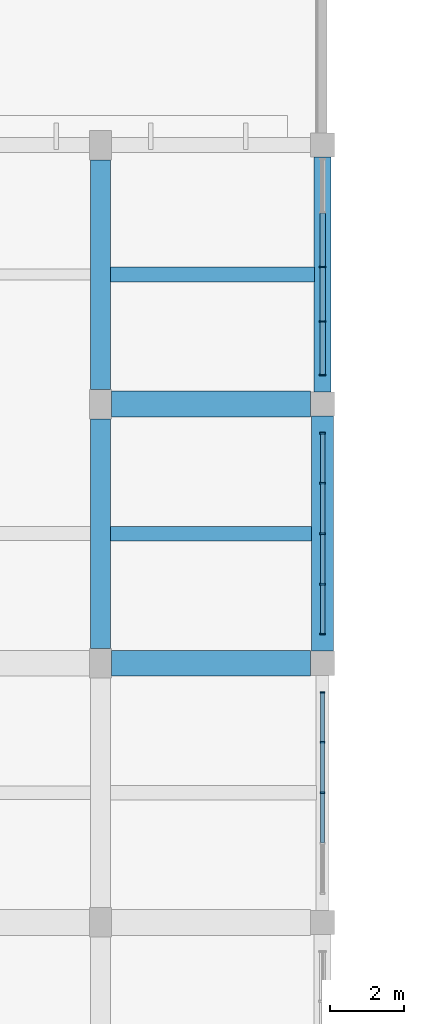
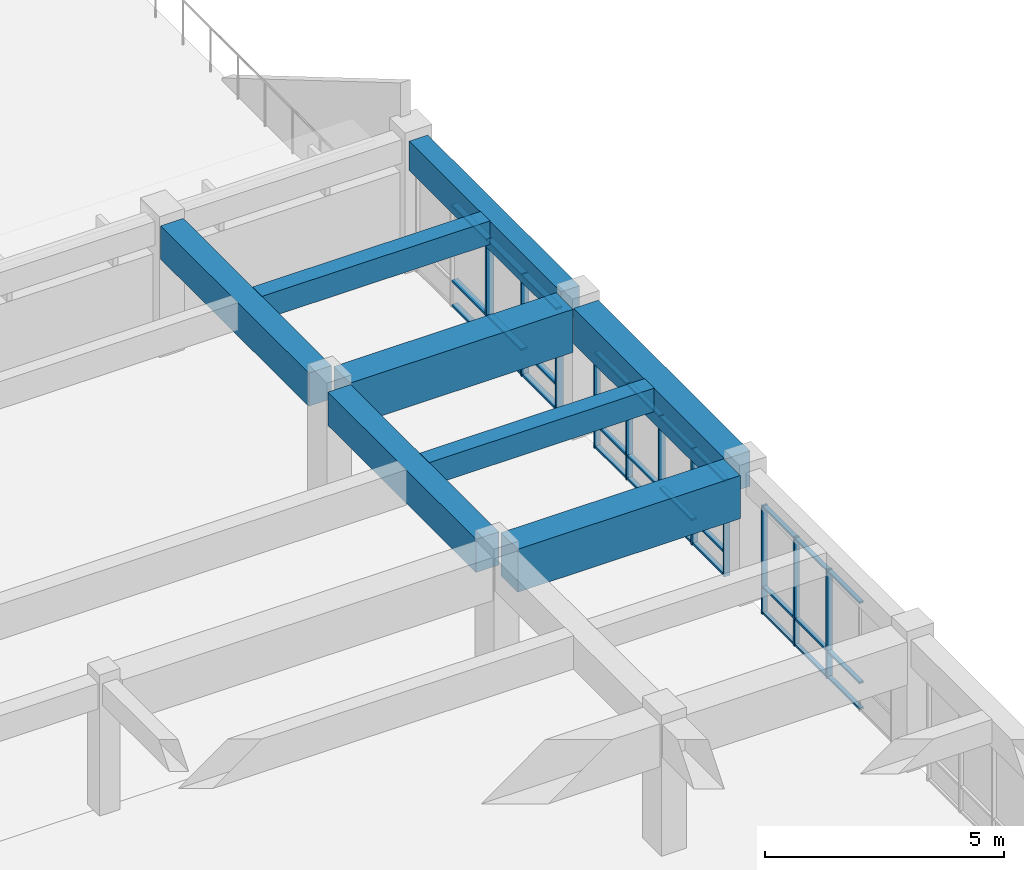
# One storey, part 43 of 77: 41 members, 8 beams, 3 elements without a shape of their own.
"""IFC4 building model written with IfcOpenShell, lengths in metres."""

from ifc_helpers import new_model, si_unit, direction, frame, origin, origin_2d, place, context, subcontext, project, spatial, rectangle, extrude, material, material_profile, profile_set, type_object, element, aggregate, save


model = new_model("IFC4")

# Units and contexts
model_context = context("Model", 3, precision=1e-05, world=origin(), true_north=direction((0.0, 1.0)))
body_context = subcontext(model_context, "Body", "Model", "MODEL_VIEW")
ifc_project = project(units=[si_unit("LENGTHUNIT", "METRE"), si_unit("AREAUNIT", "SQUARE_METRE"), si_unit("VOLUMEUNIT", "CUBIC_METRE"), si_unit("PLANEANGLEUNIT", "RADIAN"), si_unit("MASSUNIT", "GRAM", prefix="KILO")], contexts=[model_context])

# Site, building, storey
site_placement = place(None, origin())
site = spatial("IfcSite", under=ifc_project, at=site_placement, CompositionType="ELEMENT")
building_placement = place(site_placement, origin())
building = spatial("IfcBuilding", under=site, at=building_placement, Name="Larkveld Mobility Hub", CompositionType="ELEMENT")
storey_placement = place(building_placement, frame((0.0, 0.0, 12.0)))
storey = spatial("IfcBuildingStorey", under=building, at=storey_placement, Name="L03", CompositionType="ELEMENT", Elevation=12.0)

# Beams
ifc_material_1 = material(Name="Concrete C40/50", Category="concrete")
ifc_material_profile_1 = material_profile(ifc_material_1, rectangle(XDim=0.39990234375, YDim=0.60009765625, at=origin_2d()), Name="RC BM 400x600")
ifc_profile_set_1 = profile_set([ifc_material_profile_1], Name="Concrete C40/50")
beam_type_1 = type_object("IfcBeamType", Name="BM-RC4060", PredefinedType="BEAM", material=ifc_profile_set_1)
beam_1_placement = place(storey_placement, frame((146.27001953125, 87.5, 3.070068359375), z_axis=(1.0, 0.0, 0.0), x_axis=(0.0, 1.0, 0.0)))
element("IfcBeam", 1, at=beam_1_placement, inside=storey, type_object=beam_type_1, Name="Concourse Spine Joist L03-1126", PredefinedType="BEAM", context=body_context, shape_type="SweptSolid", body=[
    extrude(rectangle(XDim=0.39990234375, YDim=0.60009765625, at=origin_2d()), origin(), (0.0, 0.0, 1.0), 5.43505859375),
])
beam_2_placement = place(storey_placement, frame((146.27001953125, 94.5, 3.070068359375), z_axis=(1.0, 0.0, 0.0), x_axis=(0.0, 1.0, 0.0)))
element("IfcBeam", 2, at=beam_2_placement, inside=storey, type_object=beam_type_1, Name="Concourse Spine Joist L03-1129", PredefinedType="BEAM", context=body_context, shape_type="SweptSolid", body=[
    extrude(rectangle(XDim=0.39990234375, YDim=0.60009765625, at=origin_2d()), origin(), (0.0, 0.0, 1.0), 5.510009765625),
])
ifc_material_profile_2 = material_profile(ifc_material_1, rectangle(XDim=0.449951171875, YDim=0.75, at=origin_2d()), Name="RC BM 450x750")
ifc_profile_set_2 = profile_set([ifc_material_profile_2], Name="Concrete C40/50")
beam_type_2 = type_object("IfcBeamType", Name="BM-RC4575", PredefinedType="BEAM", material=ifc_profile_set_2)
beam_3_placement = place(storey_placement, frame((152.0, 91.324951171875, 2.985107421875), z_axis=(0.0, 1.0, 0.0), x_axis=(-1.0, 0.0, 0.0)))
element("IfcBeam", 3, at=beam_3_placement, inside=storey, type_object=beam_type_2, Name="Primary N-S Girder L03-0846", PredefinedType="BEAM", context=body_context, shape_type="SweptSolid", body=[
    extrude(rectangle(XDim=0.449951171875, YDim=0.75, at=origin_2d()), origin(), (0.0, 0.0, 1.0), 6.35009765625),
])
ifc_material_profile_3 = material_profile(ifc_material_1, rectangle(XDim=0.550048828125, YDim=0.85009765625, at=origin_2d()), Name="RC BM 550x850")
ifc_profile_set_3 = profile_set([ifc_material_profile_3], Name="Concrete C40/50")
beam_type_3 = type_object("IfcBeamType", Name="BM-RC5585", PredefinedType="BEAM", material=ifc_profile_set_3)
for number, where, z_axis, x_axis, name in (
    (4, (146.0, 84.39990234375, 2.93505859375), (0.0, 1.0, 0.0), (-1.0, 0.0, 0.0), "Primary N-S Girder L03-0832"),
    (5, (146.0, 91.39990234375, 2.93505859375), (0.0, 1.0, 0.0), (-1.0, 0.0, 0.0), "Primary N-S Girder L03-0833"),
):
    element("IfcBeam", number, at=place(storey_placement, frame(where, z_axis=z_axis, x_axis=x_axis)), inside=storey, type_object=beam_type_3, Name=name, PredefinedType="BEAM", context=body_context, shape_type="SweptSolid", body=[
        extrude(rectangle(XDim=0.550048828125, YDim=0.85009765625, at=origin_2d()), origin(), (0.0, 0.0, 1.0), 6.2001953125),
    ])
ifc_material_profile_4 = material_profile(ifc_material_1, rectangle(XDim=0.60009765625, YDim=0.89990234375, at=origin_2d()), Name="RC BM 600x900")
ifc_profile_set_4 = profile_set([ifc_material_profile_4], Name="Concrete C40/50")
beam_type_4 = type_object("IfcBeamType", Name="BM-RC6090", PredefinedType="BEAM", material=ifc_profile_set_4)
beam_4_placement = place(storey_placement, frame((152.0, 84.324951171875, 2.909912109375), z_axis=(0.0, 1.0, 0.0), x_axis=(-1.0, 0.0, 0.0)))
element("IfcBeam", 6, at=beam_4_placement, inside=storey, type_object=beam_type_4, Name="Primary N-S Girder L03-0845", PredefinedType="BEAM", context=body_context, shape_type="SweptSolid", body=[
    extrude(rectangle(XDim=0.60009765625, YDim=0.89990234375, at=origin_2d()), origin(), (0.0, 0.0, 1.0), 6.35009765625),
])
ifc_material_profile_5 = material_profile(ifc_material_1, rectangle(XDim=0.699951171875, YDim=1.10009765625, at=origin_2d()), Name="RC BM 700x1100")
ifc_profile_set_5 = profile_set([ifc_material_profile_5], Name="Concrete C40/50")
beam_type_5 = type_object("IfcBeamType", Name="BM-RC70110", PredefinedType="BEAM", material=ifc_profile_set_5)
for number, where, z_axis, x_axis, name in (
    (7, (146.300048828125, 84.0, 2.81005859375), (1.0, 0.0, 0.0), (0.0, 1.0, 0.0), "Primary E-W Girder L03-0739"),
    (8, (146.300048828125, 91.0, 2.81005859375), (1.0, 0.0, 0.0), (0.0, 1.0, 0.0), "Primary E-W Girder L03-0741"),
):
    element("IfcBeam", number, at=place(storey_placement, frame(where, z_axis=z_axis, x_axis=x_axis)), inside=storey, type_object=beam_type_5, Name=name, PredefinedType="BEAM", context=body_context, shape_type="SweptSolid", body=[
        extrude(rectangle(XDim=0.699951171875, YDim=1.10009765625, at=origin_2d()), origin(), (0.0, 0.0, 1.0), 5.375),
    ])

# Curtain wall, members
ifc_material_2 = material(Name="Anodised aluminium 6063-T6", Category="aluminium")
curtain_wall_type_1 = type_object("IfcCurtainWallType", Name="CW-SYS-09", PredefinedType="NOTDEFINED", material=ifc_material_2)
curtain_wall_1_placement = place(storey_placement, origin())
curtain_wall_1 = element("IfcCurtainWall", 9, at=curtain_wall_1_placement, inside=storey, type_object=curtain_wall_type_1, Name="Upper Mobility and Sports East Glazing L03 CW-153", PredefinedType="NOTDEFINED")
ifc_material_profile_6 = material_profile(ifc_material_2, rectangle(XDim=0.050048828125, YDim=0.14990234375, at=origin_2d()), Name="ALU MULL 50x150")
ifc_profile_set_6 = profile_set([ifc_material_profile_6], Name="Anodised aluminium 6063-T6")
member_type_1 = type_object("IfcMemberType", Name="CW-MUL-01", PredefinedType="MULLION", material=ifc_profile_set_6)
member_1_placement = place(storey_placement, frame((152.0, 84.7900390625, -0.001953125), z_axis=(0.0, 0.0, 1.0), x_axis=(0.0, 1.0, 0.0)))
member_1 = element("IfcMember", 10, at=member_1_placement, type_object=member_type_1, Name="CW09 mullion 1", PredefinedType="MULLION", context=body_context, shape_type="SweptSolid", body=[
    extrude(rectangle(XDim=0.050048828125, YDim=0.14990234375, at=origin_2d()), origin(), (0.0, 0.0, 1.0), 2.4619140625),
])
member_2_placement = place(storey_placement, frame((152.0, 86.132080078125, -0.001953125), z_axis=(0.0, 0.0, 1.0), x_axis=(0.0, 1.0, 0.0)))
member_2 = element("IfcMember", 11, at=member_2_placement, type_object=member_type_1, Name="CW09 mullion 2", PredefinedType="MULLION", context=body_context, shape_type="SweptSolid", body=[
    extrude(rectangle(XDim=0.050048828125, YDim=0.14990234375, at=origin_2d()), origin(), (0.0, 0.0, 1.0), 2.4619140625),
])
member_3_placement = place(storey_placement, frame((152.0, 87.5, -0.001953125), z_axis=(0.0, 0.0, 1.0), x_axis=(0.0, 1.0, 0.0)))
member_3 = element("IfcMember", 12, at=member_3_placement, type_object=member_type_1, Name="CW09 mullion 3", PredefinedType="MULLION", context=body_context, shape_type="SweptSolid", body=[
    extrude(rectangle(XDim=0.050048828125, YDim=0.14990234375, at=origin_2d()), origin(), (0.0, 0.0, 1.0), 2.4619140625),
])
member_4_placement = place(storey_placement, frame((152.0, 88.866943359375, -0.001953125), z_axis=(0.0, 0.0, 1.0), x_axis=(0.0, 1.0, 0.0)))
member_4 = element("IfcMember", 13, at=member_4_placement, type_object=member_type_1, Name="CW09 mullion 4", PredefinedType="MULLION", context=body_context, shape_type="SweptSolid", body=[
    extrude(rectangle(XDim=0.050048828125, YDim=0.14990234375, at=origin_2d()), origin(), (0.0, 0.0, 1.0), 2.4619140625),
])
member_5_placement = place(storey_placement, frame((152.0, 90.2099609375, -0.001953125), z_axis=(0.0, 0.0, 1.0), x_axis=(0.0, 1.0, 0.0)))
member_5 = element("IfcMember", 14, at=member_5_placement, type_object=member_type_1, Name="CW09 mullion 5", PredefinedType="MULLION", context=body_context, shape_type="SweptSolid", body=[
    extrude(rectangle(XDim=0.050048828125, YDim=0.14990234375, at=origin_2d()), origin(), (0.0, 0.0, 1.0), 2.4619140625),
])

curtain_wall_type_2 = type_object("IfcCurtainWallType", Name="CW-SYS-10", PredefinedType="NOTDEFINED", material=ifc_material_2)
curtain_wall_2_placement = place(storey_placement, origin())
curtain_wall_2 = element("IfcCurtainWall", 15, at=curtain_wall_2_placement, inside=storey, type_object=curtain_wall_type_2, Name="Upper Mobility and Sports East Glazing L03 CW-154", PredefinedType="NOTDEFINED")
ifc_material_profile_7 = material_profile(ifc_material_2, rectangle(XDim=0.050048828125, YDim=0.179931640625, at=origin_2d()), Name="ALU MULL 50x180")
ifc_profile_set_7 = profile_set([ifc_material_profile_7], Name="Anodised aluminium 6063-T6")
member_type_2 = type_object("IfcMemberType", Name="CW-MUL-02", PredefinedType="MULLION", material=ifc_profile_set_7)
member_6_placement = place(storey_placement, frame((152.0, 91.7900390625, -0.001953125), z_axis=(0.0, 0.0, 1.0), x_axis=(0.0, 1.0, 0.0)))
member_6 = element("IfcMember", 16, at=member_6_placement, type_object=member_type_2, Name="CW10 mullion 1", PredefinedType="MULLION", context=body_context, shape_type="SweptSolid", body=[
    extrude(rectangle(XDim=0.050048828125, YDim=0.179931640625, at=origin_2d()), origin(), (0.0, 0.0, 1.0), 2.612060546875),
])
member_7_placement = place(storey_placement, frame((152.0, 93.236083984375, -0.001953125), z_axis=(0.0, 0.0, 1.0), x_axis=(0.0, 1.0, 0.0)))
member_7 = element("IfcMember", 17, at=member_7_placement, type_object=member_type_2, Name="CW10 mullion 2", PredefinedType="MULLION", context=body_context, shape_type="SweptSolid", body=[
    extrude(rectangle(XDim=0.050048828125, YDim=0.179931640625, at=origin_2d()), origin(), (0.0, 0.0, 1.0), 2.612060546875),
])
member_8_placement = place(storey_placement, frame((152.0, 94.70703125, -0.001953125), z_axis=(0.0, 0.0, 1.0), x_axis=(0.0, 1.0, 0.0)))
member_8 = element("IfcMember", 18, at=member_8_placement, type_object=member_type_2, Name="CW10 mullion 3", PredefinedType="MULLION", context=body_context, shape_type="SweptSolid", body=[
    extrude(rectangle(XDim=0.050048828125, YDim=0.179931640625, at=origin_2d()), origin(), (0.0, 0.0, 1.0), 2.612060546875),
])

curtain_wall_type_3 = type_object("IfcCurtainWallType", Name="CW-SYS-08", PredefinedType="NOTDEFINED", material=ifc_material_2)
curtain_wall_3_placement = place(storey_placement, origin())
curtain_wall_3 = element("IfcCurtainWall", 19, at=curtain_wall_3_placement, inside=storey, type_object=curtain_wall_type_3, Name="Upper Mobility and Sports East Glazing L03 CW-152", PredefinedType="NOTDEFINED")
ifc_material_profile_8 = material_profile(ifc_material_2, rectangle(XDim=0.050048828125, YDim=0.1298828125, at=origin_2d()), Name="ALU MULL 50x130")
ifc_profile_set_8 = profile_set([ifc_material_profile_8], Name="Anodised aluminium 6063-T6")
member_type_3 = type_object("IfcMemberType", Name="CW-MUL-04", PredefinedType="MULLION", material=ifc_profile_set_8)
member_9_placement = place(storey_placement, frame((152.0, 80.5, -0.001953125), z_axis=(0.0, 0.0, 1.0), x_axis=(0.0, 1.0, 0.0)))
member_9 = element("IfcMember", 20, at=member_9_placement, type_object=member_type_3, Name="CW08 mullion 3", PredefinedType="MULLION", context=body_context, shape_type="SweptSolid", body=[
    extrude(rectangle(XDim=0.050048828125, YDim=0.1298828125, at=origin_2d()), origin(), (0.0, 0.0, 1.0), 2.77197265625),
])
member_10_placement = place(storey_placement, frame((152.0, 81.866943359375, -0.001953125), z_axis=(0.0, 0.0, 1.0), x_axis=(0.0, 1.0, 0.0)))
member_10 = element("IfcMember", 21, at=member_10_placement, type_object=member_type_3, Name="CW08 mullion 4", PredefinedType="MULLION", context=body_context, shape_type="SweptSolid", body=[
    extrude(rectangle(XDim=0.050048828125, YDim=0.1298828125, at=origin_2d()), origin(), (0.0, 0.0, 1.0), 2.77197265625),
])
member_11_placement = place(storey_placement, frame((152.0, 83.2099609375, -0.001953125), z_axis=(0.0, 0.0, 1.0), x_axis=(0.0, 1.0, 0.0)))
member_11 = element("IfcMember", 22, at=member_11_placement, type_object=member_type_3, Name="CW08 mullion 5", PredefinedType="MULLION", context=body_context, shape_type="SweptSolid", body=[
    extrude(rectangle(XDim=0.050048828125, YDim=0.1298828125, at=origin_2d()), origin(), (0.0, 0.0, 1.0), 2.77197265625),
])

# Member
ifc_material_profile_9 = material_profile(ifc_material_2, rectangle(XDim=0.1201171875, YDim=0.050048828125, at=origin_2d()), Name="ALU TRAN 50x120")
ifc_profile_set_9 = profile_set([ifc_material_profile_9], Name="Anodised aluminium 6063-T6")
member_type_4 = type_object("IfcMemberType", Name="CW-TRN-01", PredefinedType="USERDEFINED", material=ifc_profile_set_9)
member_12_placement = place(storey_placement, frame((152.0, 84.800048828125, 0.030029296875), z_axis=(0.0, 1.0, 0.0), x_axis=(-1.0, 0.0, 0.0)))
member_12 = element("IfcMember", 23, at=member_12_placement, type_object=member_type_4, Name="CW09 transom 1.1", ObjectType="TRANSOM", PredefinedType="USERDEFINED", context=body_context, shape_type="SweptSolid", body=[
    extrude(rectangle(XDim=0.1201171875, YDim=0.050048828125, at=origin_2d()), origin(), (0.0, 0.0, 1.0), 1.31689453125),
])

member_13_placement = place(storey_placement, frame((152.0, 84.800048828125, 0.614013671875), z_axis=(0.0, 1.0, 0.0), x_axis=(-1.0, 0.0, 0.0)))
member_13 = element("IfcMember", 24, at=member_13_placement, type_object=member_type_4, Name="CW09 transom 1.2", ObjectType="TRANSOM", PredefinedType="USERDEFINED", context=body_context, shape_type="SweptSolid", body=[
    extrude(rectangle(XDim=0.1201171875, YDim=0.050048828125, at=origin_2d()), origin(), (0.0, 0.0, 1.0), 1.31689453125),
])

member_14_placement = place(storey_placement, frame((152.0, 84.800048828125, 2.427978515625), z_axis=(0.0, 1.0, 0.0), x_axis=(-1.0, 0.0, 0.0)))
member_14 = element("IfcMember", 25, at=member_14_placement, type_object=member_type_4, Name="CW09 transom 1.3", ObjectType="TRANSOM", PredefinedType="USERDEFINED", context=body_context, shape_type="SweptSolid", body=[
    extrude(rectangle(XDim=0.1201171875, YDim=0.050048828125, at=origin_2d()), origin(), (0.0, 0.0, 1.0), 1.31689453125),
])

member_15_placement = place(storey_placement, frame((152.0, 86.14697265625, 0.030029296875), z_axis=(0.0, 1.0, 0.0), x_axis=(-1.0, 0.0, 0.0)))
member_15 = element("IfcMember", 26, at=member_15_placement, type_object=member_type_4, Name="CW09 transom 2.1", ObjectType="TRANSOM", PredefinedType="USERDEFINED", context=body_context, shape_type="SweptSolid", body=[
    extrude(rectangle(XDim=0.1201171875, YDim=0.050048828125, at=origin_2d()), origin(), (0.0, 0.0, 1.0), 1.338134765625),
])

member_16_placement = place(storey_placement, frame((152.0, 86.14697265625, 0.614013671875), z_axis=(0.0, 1.0, 0.0), x_axis=(-1.0, 0.0, 0.0)))
member_16 = element("IfcMember", 27, at=member_16_placement, type_object=member_type_4, Name="CW09 transom 2.2", ObjectType="TRANSOM", PredefinedType="USERDEFINED", context=body_context, shape_type="SweptSolid", body=[
    extrude(rectangle(XDim=0.1201171875, YDim=0.050048828125, at=origin_2d()), origin(), (0.0, 0.0, 1.0), 1.338134765625),
])

member_17_placement = place(storey_placement, frame((152.0, 86.14697265625, 2.427978515625), z_axis=(0.0, 1.0, 0.0), x_axis=(-1.0, 0.0, 0.0)))
member_17 = element("IfcMember", 28, at=member_17_placement, type_object=member_type_4, Name="CW09 transom 2.3", ObjectType="TRANSOM", PredefinedType="USERDEFINED", context=body_context, shape_type="SweptSolid", body=[
    extrude(rectangle(XDim=0.1201171875, YDim=0.050048828125, at=origin_2d()), origin(), (0.0, 0.0, 1.0), 1.338134765625),
])

member_18_placement = place(storey_placement, frame((152.0, 87.514892578125, 0.030029296875), z_axis=(0.0, 1.0, 0.0), x_axis=(-1.0, 0.0, 0.0)))
member_18 = element("IfcMember", 29, at=member_18_placement, type_object=member_type_4, Name="CW09 transom 3.1", ObjectType="TRANSOM", PredefinedType="USERDEFINED", context=body_context, shape_type="SweptSolid", body=[
    extrude(rectangle(XDim=0.1201171875, YDim=0.050048828125, at=origin_2d()), origin(), (0.0, 0.0, 1.0), 1.337158203125),
])

member_19_placement = place(storey_placement, frame((152.0, 87.514892578125, 0.614013671875), z_axis=(0.0, 1.0, 0.0), x_axis=(-1.0, 0.0, 0.0)))
member_19 = element("IfcMember", 30, at=member_19_placement, type_object=member_type_4, Name="CW09 transom 3.2", ObjectType="TRANSOM", PredefinedType="USERDEFINED", context=body_context, shape_type="SweptSolid", body=[
    extrude(rectangle(XDim=0.1201171875, YDim=0.050048828125, at=origin_2d()), origin(), (0.0, 0.0, 1.0), 1.337158203125),
])

member_20_placement = place(storey_placement, frame((152.0, 87.514892578125, 2.427978515625), z_axis=(0.0, 1.0, 0.0), x_axis=(-1.0, 0.0, 0.0)))
member_20 = element("IfcMember", 31, at=member_20_placement, type_object=member_type_4, Name="CW09 transom 3.3", ObjectType="TRANSOM", PredefinedType="USERDEFINED", context=body_context, shape_type="SweptSolid", body=[
    extrude(rectangle(XDim=0.1201171875, YDim=0.050048828125, at=origin_2d()), origin(), (0.0, 0.0, 1.0), 1.337158203125),
])

member_21_placement = place(storey_placement, frame((152.0, 88.882080078125, 0.030029296875), z_axis=(0.0, 1.0, 0.0), x_axis=(-1.0, 0.0, 0.0)))
member_21 = element("IfcMember", 32, at=member_21_placement, type_object=member_type_4, Name="CW09 transom 4.1", ObjectType="TRANSOM", PredefinedType="USERDEFINED", context=body_context, shape_type="SweptSolid", body=[
    extrude(rectangle(XDim=0.1201171875, YDim=0.050048828125, at=origin_2d()), origin(), (0.0, 0.0, 1.0), 1.31787109375),
])

member_22_placement = place(storey_placement, frame((152.0, 88.882080078125, 0.614013671875), z_axis=(0.0, 1.0, 0.0), x_axis=(-1.0, 0.0, 0.0)))
member_22 = element("IfcMember", 33, at=member_22_placement, type_object=member_type_4, Name="CW09 transom 4.2", ObjectType="TRANSOM", PredefinedType="USERDEFINED", context=body_context, shape_type="SweptSolid", body=[
    extrude(rectangle(XDim=0.1201171875, YDim=0.050048828125, at=origin_2d()), origin(), (0.0, 0.0, 1.0), 1.31787109375),
])

member_23_placement = place(storey_placement, frame((152.0, 88.882080078125, 2.427978515625), z_axis=(0.0, 1.0, 0.0), x_axis=(-1.0, 0.0, 0.0)))
member_23 = element("IfcMember", 34, at=member_23_placement, type_object=member_type_4, Name="CW09 transom 4.3", ObjectType="TRANSOM", PredefinedType="USERDEFINED", context=body_context, shape_type="SweptSolid", body=[
    extrude(rectangle(XDim=0.1201171875, YDim=0.050048828125, at=origin_2d()), origin(), (0.0, 0.0, 1.0), 1.31787109375),
])

aggregate(curtain_wall_1, [member_1, member_2, member_3, member_4, member_5, member_12, member_13, member_14, member_15, member_16, member_17, member_18, member_19, member_20, member_21, member_22, member_23])

ifc_material_profile_10 = material_profile(ifc_material_2, rectangle(XDim=0.14990234375, YDim=0.050048828125, at=origin_2d()), Name="ALU TRAN 50x150")
ifc_profile_set_10 = profile_set([ifc_material_profile_10], Name="Anodised aluminium 6063-T6")
member_type_5 = type_object("IfcMemberType", Name="CW-TRN-02", PredefinedType="USERDEFINED", material=ifc_profile_set_10)
member_24_placement = place(storey_placement, frame((152.0, 91.800048828125, 0.030029296875), z_axis=(0.0, 1.0, 0.0), x_axis=(-1.0, 0.0, 0.0)))
member_24 = element("IfcMember", 35, at=member_24_placement, type_object=member_type_5, Name="CW10 transom 1.1", ObjectType="TRANSOM", PredefinedType="USERDEFINED", context=body_context, shape_type="SweptSolid", body=[
    extrude(rectangle(XDim=0.14990234375, YDim=0.050048828125, at=origin_2d()), origin(), (0.0, 0.0, 1.0), 1.4208984375),
])

member_25_placement = place(storey_placement, frame((152.0, 91.800048828125, 0.652099609375), z_axis=(0.0, 1.0, 0.0), x_axis=(-1.0, 0.0, 0.0)))
member_25 = element("IfcMember", 36, at=member_25_placement, type_object=member_type_5, Name="CW10 transom 1.2", ObjectType="TRANSOM", PredefinedType="USERDEFINED", context=body_context, shape_type="SweptSolid", body=[
    extrude(rectangle(XDim=0.14990234375, YDim=0.050048828125, at=origin_2d()), origin(), (0.0, 0.0, 1.0), 1.4208984375),
])

member_26_placement = place(storey_placement, frame((152.0, 91.800048828125, 2.577880859375), z_axis=(0.0, 1.0, 0.0), x_axis=(-1.0, 0.0, 0.0)))
member_26 = element("IfcMember", 37, at=member_26_placement, type_object=member_type_5, Name="CW10 transom 1.3", ObjectType="TRANSOM", PredefinedType="USERDEFINED", context=body_context, shape_type="SweptSolid", body=[
    extrude(rectangle(XDim=0.14990234375, YDim=0.050048828125, at=origin_2d()), origin(), (0.0, 0.0, 1.0), 1.4208984375),
])

member_27_placement = place(storey_placement, frame((152.0, 93.2509765625, 0.030029296875), z_axis=(0.0, 1.0, 0.0), x_axis=(-1.0, 0.0, 0.0)))
member_27 = element("IfcMember", 38, at=member_27_placement, type_object=member_type_5, Name="CW10 transom 2.1", ObjectType="TRANSOM", PredefinedType="USERDEFINED", context=body_context, shape_type="SweptSolid", body=[
    extrude(rectangle(XDim=0.14990234375, YDim=0.050048828125, at=origin_2d()), origin(), (0.0, 0.0, 1.0), 1.44091796875),
])

member_28_placement = place(storey_placement, frame((152.0, 93.2509765625, 0.652099609375), z_axis=(0.0, 1.0, 0.0), x_axis=(-1.0, 0.0, 0.0)))
member_28 = element("IfcMember", 39, at=member_28_placement, type_object=member_type_5, Name="CW10 transom 2.2", ObjectType="TRANSOM", PredefinedType="USERDEFINED", context=body_context, shape_type="SweptSolid", body=[
    extrude(rectangle(XDim=0.14990234375, YDim=0.050048828125, at=origin_2d()), origin(), (0.0, 0.0, 1.0), 1.44091796875),
])

member_29_placement = place(storey_placement, frame((152.0, 93.2509765625, 2.577880859375), z_axis=(0.0, 1.0, 0.0), x_axis=(-1.0, 0.0, 0.0)))
member_29 = element("IfcMember", 40, at=member_29_placement, type_object=member_type_5, Name="CW10 transom 2.3", ObjectType="TRANSOM", PredefinedType="USERDEFINED", context=body_context, shape_type="SweptSolid", body=[
    extrude(rectangle(XDim=0.14990234375, YDim=0.050048828125, at=origin_2d()), origin(), (0.0, 0.0, 1.0), 1.44091796875),
])

member_30_placement = place(storey_placement, frame((152.0, 94.721923828125, 0.030029296875), z_axis=(0.0, 1.0, 0.0), x_axis=(-1.0, 0.0, 0.0)))
member_30 = element("IfcMember", 41, at=member_30_placement, type_object=member_type_5, Name="CW10 transom 3.1", ObjectType="TRANSOM", PredefinedType="USERDEFINED", context=body_context, shape_type="SweptSolid", body=[
    extrude(rectangle(XDim=0.14990234375, YDim=0.050048828125, at=origin_2d()), origin(), (0.0, 0.0, 1.0), 1.442138671875),
])

member_31_placement = place(storey_placement, frame((152.0, 94.721923828125, 0.652099609375), z_axis=(0.0, 1.0, 0.0), x_axis=(-1.0, 0.0, 0.0)))
member_31 = element("IfcMember", 42, at=member_31_placement, type_object=member_type_5, Name="CW10 transom 3.2", ObjectType="TRANSOM", PredefinedType="USERDEFINED", context=body_context, shape_type="SweptSolid", body=[
    extrude(rectangle(XDim=0.14990234375, YDim=0.050048828125, at=origin_2d()), origin(), (0.0, 0.0, 1.0), 1.442138671875),
])

member_32_placement = place(storey_placement, frame((152.0, 94.721923828125, 2.577880859375), z_axis=(0.0, 1.0, 0.0), x_axis=(-1.0, 0.0, 0.0)))
member_32 = element("IfcMember", 43, at=member_32_placement, type_object=member_type_5, Name="CW10 transom 3.3", ObjectType="TRANSOM", PredefinedType="USERDEFINED", context=body_context, shape_type="SweptSolid", body=[
    extrude(rectangle(XDim=0.14990234375, YDim=0.050048828125, at=origin_2d()), origin(), (0.0, 0.0, 1.0), 1.442138671875),
])

aggregate(curtain_wall_2, [member_6, member_7, member_8, member_24, member_25, member_26, member_27, member_28, member_29, member_30, member_31, member_32])

ifc_material_profile_11 = material_profile(ifc_material_2, rectangle(XDim=0.10009765625, YDim=0.050048828125, at=origin_2d()), Name="ALU TRAN 50x100")
ifc_profile_set_11 = profile_set([ifc_material_profile_11], Name="Anodised aluminium 6063-T6")
member_type_6 = type_object("IfcMemberType", Name="CW-TRN-04", PredefinedType="USERDEFINED", material=ifc_profile_set_11)
member_33_placement = place(storey_placement, frame((152.0, 79.14697265625, 0.030029296875), z_axis=(0.0, 1.0, 0.0), x_axis=(-1.0, 0.0, 0.0)))
member_33 = element("IfcMember", 44, at=member_33_placement, type_object=member_type_6, Name="CW08 transom 2.1", ObjectType="TRANSOM", PredefinedType="USERDEFINED", context=body_context, shape_type="SweptSolid", body=[
    extrude(rectangle(XDim=0.10009765625, YDim=0.050048828125, at=origin_2d()), origin(), (0.0, 0.0, 1.0), 1.338134765625),
])

member_34_placement = place(storey_placement, frame((152.0, 79.14697265625, 0.69189453125), z_axis=(0.0, 1.0, 0.0), x_axis=(-1.0, 0.0, 0.0)))
member_34 = element("IfcMember", 45, at=member_34_placement, type_object=member_type_6, Name="CW08 transom 2.2", ObjectType="TRANSOM", PredefinedType="USERDEFINED", context=body_context, shape_type="SweptSolid", body=[
    extrude(rectangle(XDim=0.10009765625, YDim=0.050048828125, at=origin_2d()), origin(), (0.0, 0.0, 1.0), 1.338134765625),
])

member_35_placement = place(storey_placement, frame((152.0, 79.14697265625, 2.738037109375), z_axis=(0.0, 1.0, 0.0), x_axis=(-1.0, 0.0, 0.0)))
member_35 = element("IfcMember", 46, at=member_35_placement, type_object=member_type_6, Name="CW08 transom 2.3", ObjectType="TRANSOM", PredefinedType="USERDEFINED", context=body_context, shape_type="SweptSolid", body=[
    extrude(rectangle(XDim=0.10009765625, YDim=0.050048828125, at=origin_2d()), origin(), (0.0, 0.0, 1.0), 1.338134765625),
])

member_36_placement = place(storey_placement, frame((152.0, 80.514892578125, 0.030029296875), z_axis=(0.0, 1.0, 0.0), x_axis=(-1.0, 0.0, 0.0)))
member_36 = element("IfcMember", 47, at=member_36_placement, type_object=member_type_6, Name="CW08 transom 3.1", ObjectType="TRANSOM", PredefinedType="USERDEFINED", context=body_context, shape_type="SweptSolid", body=[
    extrude(rectangle(XDim=0.10009765625, YDim=0.050048828125, at=origin_2d()), origin(), (0.0, 0.0, 1.0), 1.337158203125),
])

member_37_placement = place(storey_placement, frame((152.0, 80.514892578125, 0.69189453125), z_axis=(0.0, 1.0, 0.0), x_axis=(-1.0, 0.0, 0.0)))
member_37 = element("IfcMember", 48, at=member_37_placement, type_object=member_type_6, Name="CW08 transom 3.2", ObjectType="TRANSOM", PredefinedType="USERDEFINED", context=body_context, shape_type="SweptSolid", body=[
    extrude(rectangle(XDim=0.10009765625, YDim=0.050048828125, at=origin_2d()), origin(), (0.0, 0.0, 1.0), 1.337158203125),
])

member_38_placement = place(storey_placement, frame((152.0, 80.514892578125, 2.738037109375), z_axis=(0.0, 1.0, 0.0), x_axis=(-1.0, 0.0, 0.0)))
member_38 = element("IfcMember", 49, at=member_38_placement, type_object=member_type_6, Name="CW08 transom 3.3", ObjectType="TRANSOM", PredefinedType="USERDEFINED", context=body_context, shape_type="SweptSolid", body=[
    extrude(rectangle(XDim=0.10009765625, YDim=0.050048828125, at=origin_2d()), origin(), (0.0, 0.0, 1.0), 1.337158203125),
])

member_39_placement = place(storey_placement, frame((152.0, 81.882080078125, 0.030029296875), z_axis=(0.0, 1.0, 0.0), x_axis=(-1.0, 0.0, 0.0)))
member_39 = element("IfcMember", 50, at=member_39_placement, type_object=member_type_6, Name="CW08 transom 4.1", ObjectType="TRANSOM", PredefinedType="USERDEFINED", context=body_context, shape_type="SweptSolid", body=[
    extrude(rectangle(XDim=0.10009765625, YDim=0.050048828125, at=origin_2d()), origin(), (0.0, 0.0, 1.0), 1.31787109375),
])

member_40_placement = place(storey_placement, frame((152.0, 81.882080078125, 0.69189453125), z_axis=(0.0, 1.0, 0.0), x_axis=(-1.0, 0.0, 0.0)))
member_40 = element("IfcMember", 51, at=member_40_placement, type_object=member_type_6, Name="CW08 transom 4.2", ObjectType="TRANSOM", PredefinedType="USERDEFINED", context=body_context, shape_type="SweptSolid", body=[
    extrude(rectangle(XDim=0.10009765625, YDim=0.050048828125, at=origin_2d()), origin(), (0.0, 0.0, 1.0), 1.31787109375),
])

member_41_placement = place(storey_placement, frame((152.0, 81.882080078125, 2.738037109375), z_axis=(0.0, 1.0, 0.0), x_axis=(-1.0, 0.0, 0.0)))
member_41 = element("IfcMember", 52, at=member_41_placement, type_object=member_type_6, Name="CW08 transom 4.3", ObjectType="TRANSOM", PredefinedType="USERDEFINED", context=body_context, shape_type="SweptSolid", body=[
    extrude(rectangle(XDim=0.10009765625, YDim=0.050048828125, at=origin_2d()), origin(), (0.0, 0.0, 1.0), 1.31787109375),
])

aggregate(curtain_wall_3, [member_9, member_10, member_11, member_33, member_34, member_35, member_36, member_37, member_38, member_39, member_40, member_41])

save(model, "model.ifc")
